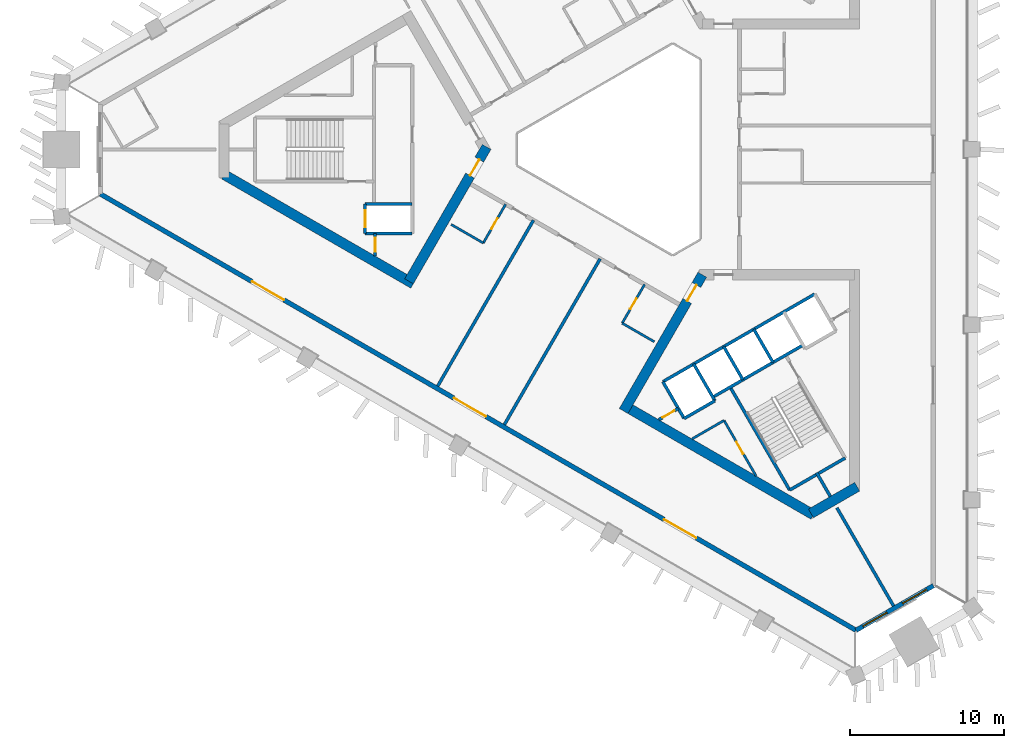
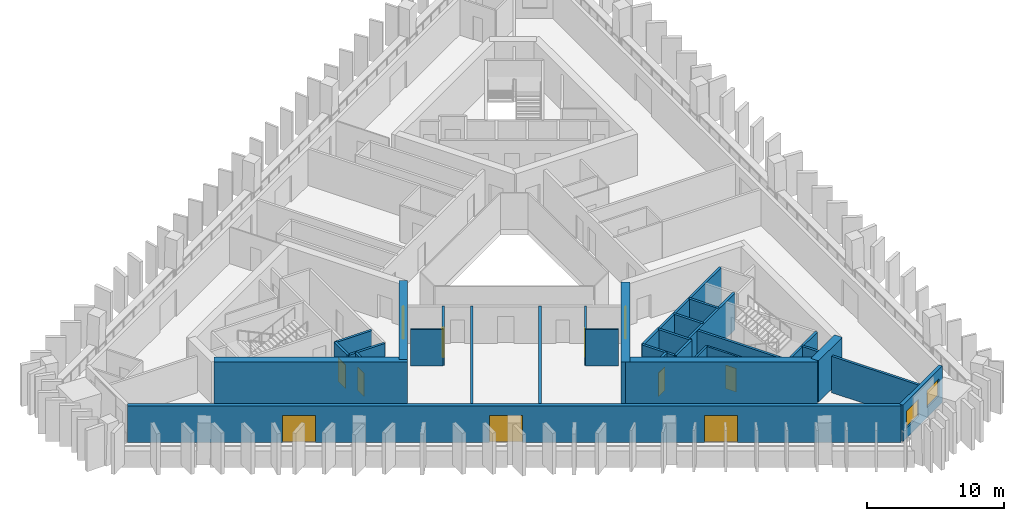
# One storey, part 2 of 10: 31 walls, 11 doors, 2 windows, 13 openings.
"""IFC4 building model written with IfcOpenShell, lengths in metres."""

from ifc_helpers import new_model, si_unit, direction, frame, frame_2d, origin, place, context, subcontext, project, spatial, rectangle, extrude, material, layer, layer_set, type_object, element, fill, save


model = new_model("IFC4")

# Units and contexts
model_context = context("Model", 3, precision=1e-05, world=origin(), true_north=direction((0.0, 1.0)))
body_context = subcontext(model_context, "Body", "Model", "MODEL_VIEW")
ifc_project = project(units=[si_unit("LENGTHUNIT", "METRE"), si_unit("AREAUNIT", "SQUARE_METRE"), si_unit("VOLUMEUNIT", "CUBIC_METRE"), si_unit("PLANEANGLEUNIT", "RADIAN"), si_unit("MASSUNIT", "GRAM", prefix="KILO")], contexts=[model_context])

# Site, building, storey
site_placement = place(None, origin())
site = spatial("IfcSite", under=ifc_project, at=site_placement, CompositionType="ELEMENT")
building_placement = place(site_placement, origin())
building = spatial("IfcBuilding", under=site, at=building_placement, Name="Jabali Bay Hotel Tower and Convention Centre", CompositionType="ELEMENT")
storey_placement = place(building_placement, frame((0.0, 0.0, 121.60009765625)))
storey = spatial("IfcBuildingStorey", under=building, at=storey_placement, Name="L29", CompositionType="ELEMENT", Elevation=121.60009765625)

# Wall, opening, door
ifc_material_1 = material(Name="Concrete C40", Category="concrete")
ifc_layer_1 = layer(ifc_material_1, 0.199951171875)
ifc_layer_set_1 = layer_set([ifc_layer_1], Name="Concrete C40")
wall_type_1 = type_object("IfcWallType", Name="Core partition wall 200", PredefinedType="PARTITIONING", material=ifc_layer_set_1)
wall_1_placement = place(storey_placement, frame((58.5, 74.550048828125, 0.0), z_axis=(0.0, 0.0, 1.0), x_axis=(0.0, -1.0, 0.0)))
wall_1 = element("IfcWall", 1, at=wall_1_placement, inside=storey, type_object=wall_type_1, Name="Core wall 0.9 L29", PredefinedType="PARTITIONING", context=body_context, shape_type="SweptSolid", body=[
    extrude(rectangle(XDim=1.455078125, YDim=0.199951171875, at=frame_2d((0.7275390625, 0.0))), origin(), (0.0, 0.0, 1.0), 3.25),
])
opening_1_placement = place(wall_1_placement, frame((0.277587890625, 0.0, 0.0)))
opening_1 = element("IfcOpeningElement", 2, at=opening_1_placement, cuts=wall_1, Name="Opening D643", PredefinedType="OPENING", context=body_context, shape_type="SweptSolid", body=[
    extrude(rectangle(XDim=0.89990234375, YDim=2.10009765625, at=frame_2d((0.449951171875, 1.050048828125))), frame((0.0, 0.1103515625, 0.0), z_axis=(0.0, -1.0, 0.0), x_axis=(1.0, 0.0, 0.0)), (0.0, 0.0, 1.0), 0.220947265625),
])
ifc_material_2 = material(Name="Fire-rated steel door", Category="steel")
door_type_1 = type_object("IfcDoorType", Name="Vestibule fire door 900 x 2100", OperationType="NOTDEFINED", PredefinedType="NOTDEFINED", material=ifc_material_2)
door_1_placement = place(opening_1_placement, origin())
door_1 = element("IfcDoor", 3, at=door_1_placement, inside=storey, type_object=door_type_1, Name="Vestibule fire door D643", OperationType="SINGLE_SWING_LEFT", OverallHeight=2.10009765625, OverallWidth=0.89990234375, PredefinedType="NOTDEFINED", context=body_context, shape_type="SweptSolid", body=[
    extrude(rectangle(XDim=0.89990234375, YDim=2.10009765625, at=frame_2d((0.449951171875, 1.050048828125))), frame((0.0, 0.02490234375, 0.0), z_axis=(0.0, -1.0, 0.0), x_axis=(1.0, 0.0, 0.0)), (0.0, 0.0, 1.0), 0.050048828125),
])
fill(opening_1, door_1)

# Wall
wall_2_placement = place(storey_placement, frame((87.090087890625, 59.0595703125, 0.0), z_axis=(0.0, 0.0, 1.0), x_axis=(0.499944938281, -0.866057191349, 0.0)))
element("IfcWall", 4, at=wall_2_placement, inside=storey, type_object=wall_type_1, Name="Core wall 2.5 L29", PredefinedType="PARTITIONING", context=body_context, shape_type="SweptSolid", body=[
    extrude(rectangle(XDim=1.773193359375, YDim=0.199951171875, at=frame_2d((0.88671875, 0.0))), origin(), (0.0, 0.0, 1.0), 3.25),
])

# Wall, opening, door
wall_3_placement = place(storey_placement, frame((76.869873046875, 62.489013671875, 0.0), z_axis=(0.0, 0.0, 1.0), x_axis=(0.866054810376, 0.49994906283, 0.0)))
wall_3 = element("IfcWall", 5, at=wall_3_placement, inside=storey, type_object=wall_type_1, Name="Core wall 2.11 L29", PredefinedType="PARTITIONING", context=body_context, shape_type="SweptSolid", body=[
    extrude(rectangle(XDim=1.461181640625, YDim=0.199951171875, at=frame_2d((0.73046875, 0.0))), origin(), (0.0, 0.0, 1.0), 3.25),
])
opening_2_placement = place(wall_3_placement, frame((0.280517578125, 0.0, 0.0)))
opening_2 = element("IfcOpeningElement", 6, at=opening_2_placement, cuts=wall_3, Name="Opening D656", PredefinedType="OPENING", context=body_context, shape_type="SweptSolid", body=[
    extrude(rectangle(XDim=0.89990234375, YDim=2.10009765625, at=frame_2d((0.449951171875, 1.050048828125))), frame((0.0, 0.1103515625, 0.0), z_axis=(0.0, -1.0, 0.0), x_axis=(1.0, 0.0, 0.0)), (0.0, 0.0, 1.0), 0.220947265625),
])
door_2_placement = place(opening_2_placement, origin())
door_2 = element("IfcDoor", 7, at=door_2_placement, inside=storey, type_object=door_type_1, Name="Vestibule fire door D656", OperationType="SINGLE_SWING_LEFT", OverallHeight=2.10009765625, OverallWidth=0.89990234375, PredefinedType="NOTDEFINED", context=body_context, shape_type="SweptSolid", body=[
    extrude(rectangle(XDim=0.89990234375, YDim=2.10009765625, at=frame_2d((0.449951171875, 1.050048828125))), frame((0.0, 0.02490234375, 0.0), z_axis=(0.0, -1.0, 0.0), x_axis=(1.0, 0.0, 0.0)), (0.0, 0.0, 1.0), 0.050048828125),
])
fill(opening_2, door_2)

ifc_material_3 = material(Name="Fire-rated board partition")
ifc_layer_2 = layer(ifc_material_3, 0.14990234375)
ifc_layer_set_2 = layer_set([ifc_layer_2], Name="Fire-rated board partition")
wall_type_2 = type_object("IfcWallType", Name="Core room partition 150", PredefinedType="PARTITIONING", material=ifc_layer_set_2)
wall_4_placement = place(storey_placement, frame((81.093994140625, 62.445068359375, 0.0), z_axis=(0.0, 0.0, 1.0), x_axis=(0.499975520016, -0.866039536849, 0.0)))
wall_4 = element("IfcWall", 8, at=wall_4_placement, inside=storey, type_object=wall_type_2, Name="Core wall 2.1 L29", PredefinedType="PARTITIONING", context=body_context, shape_type="SweptSolid", body=[
    extrude(rectangle(XDim=4.147705078125, YDim=0.14990234375, at=frame_2d((2.07373046875, 0.0))), origin(), (0.0, 0.0, 1.0), 3.25),
])
opening_3_placement = place(wall_4_placement, frame((1.596435546875, 0.0, 0.0)))
opening_3 = element("IfcOpeningElement", 9, at=opening_3_placement, cuts=wall_4, Name="Opening D658", PredefinedType="OPENING", context=body_context, shape_type="SweptSolid", body=[
    extrude(rectangle(XDim=0.89990234375, YDim=2.10009765625, at=frame_2d((0.449951171875, 1.050048828125))), frame((0.0, 0.08544921875, 0.0), z_axis=(0.0, -1.0, 0.0), x_axis=(1.0, 0.0, 0.0)), (0.0, 0.0, 1.0), 0.1708984375),
])
door_type_2 = type_object("IfcDoorType", Name="Core room door 900 x 2100", OperationType="NOTDEFINED", PredefinedType="NOTDEFINED", material=ifc_material_2)
door_3_placement = place(opening_3_placement, origin())
door_3 = element("IfcDoor", 10, at=door_3_placement, inside=storey, type_object=door_type_2, Name="Core room door D658", OperationType="SINGLE_SWING_LEFT", OverallHeight=2.10009765625, OverallWidth=0.89990234375, PredefinedType="NOTDEFINED", context=body_context, shape_type="SweptSolid", body=[
    extrude(rectangle(XDim=0.89990234375, YDim=2.10009765625, at=frame_2d((0.449951171875, 1.050048828125))), frame((0.0, 0.02490234375, 0.0), z_axis=(0.0, -1.0, 0.0), x_axis=(1.0, 0.0, 0.0)), (0.0, 0.0, 1.0), 0.050048828125),
])
fill(opening_3, door_3)

# Walls
wall_5_placement = place(storey_placement, frame((79.02001953125, 61.247802734375, 0.0), z_axis=(0.0, 0.0, 1.0), x_axis=(0.866051471819, 0.499954846121, 0.0)))
element("IfcWall", 11, at=wall_5_placement, inside=storey, type_object=wall_type_2, Name="Core wall 2.16 L29", PredefinedType="PARTITIONING", context=body_context, shape_type="SweptSolid", body=[
    extrude(rectangle(XDim=2.394775390625, YDim=0.14990234375, at=frame_2d((1.197265625, 0.0))), origin(), (0.0, 0.0, 1.0), 3.25),
])
ifc_layer_3 = layer(ifc_material_1, 0.199951171875)
ifc_layer_set_3 = layer_set([ifc_layer_3], Name="Concrete C40")
wall_type_3 = type_object("IfcWallType", Name="Core stair wall 200", PredefinedType="SOLIDWALL", material=ifc_layer_set_3)
for number, where, z_axis, x_axis, name in (
    (12, (60.89990234375, 76.449951171875, 0.0), (0.0, 0.0, 1.0), (-1.0, 0.0, 0.0), "Core wall 0.5 L29"),
    (13, (60.89990234375, 74.550048828125, 0.0), (0.0, 0.0, 1.0), (-1.0, 0.0, 0.0), "Core wall 0.6 L29"),
):
    element("IfcWall", number, at=place(storey_placement, frame(where, z_axis=z_axis, x_axis=x_axis)), inside=storey, type_object=wall_type_3, Name=name, PredefinedType="SOLIDWALL", context=body_context, shape_type="SweptSolid", body=[
        extrude(rectangle(XDim=3.0498046875, YDim=0.199951171875, at=frame_2d((1.52490234375, 0.0))), origin(), (0.0, 0.0, 1.0), 3.25),
    ])

# Wall, opening, door
wall_6_placement = place(storey_placement, frame((57.85009765625, 76.449951171875, 0.0), z_axis=(0.0, 0.0, 1.0), x_axis=(0.0, -1.0, 0.0)))
wall_6 = element("IfcWall", 14, at=wall_6_placement, inside=storey, type_object=wall_type_3, Name="Core wall 0.11 L29", PredefinedType="SOLIDWALL", context=body_context, shape_type="SweptSolid", body=[
    extrude(rectangle(XDim=1.89990234375, YDim=0.199951171875, at=frame_2d((0.949951171875, 0.0))), origin(), (0.0, 0.0, 1.0), 3.25),
])
opening_4_placement = place(wall_6_placement, frame((0.39990234375, 0.0, 0.0)))
opening_4 = element("IfcOpeningElement", 15, at=opening_4_placement, cuts=wall_6, Name="Opening LD5-L29", PredefinedType="OPENING", context=body_context, shape_type="SweptSolid", body=[
    extrude(rectangle(XDim=1.10009765625, YDim=2.10009765625, at=frame_2d((0.550048828125, 1.050048828125))), frame((0.0, 0.1103515625, 0.0), z_axis=(0.0, -1.0, 0.0), x_axis=(1.0, 0.0, 0.0)), (0.0, 0.0, 1.0), 0.220947265625),
])
ifc_material_4 = material(Name="Stainless steel landing door", Category="steel")
door_type_3 = type_object("IfcDoorType", Name="Landing door 1100 x 2100", OperationType="NOTDEFINED", PredefinedType="NOTDEFINED", material=ifc_material_4)
door_4_placement = place(opening_4_placement, origin())
door_4 = element("IfcDoor", 16, at=door_4_placement, inside=storey, type_object=door_type_3, Name="Landing doors LD5-L29", OperationType="SLIDING_TO_RIGHT", OverallHeight=2.10009765625, OverallWidth=1.10009765625, PredefinedType="NOTDEFINED", context=body_context, shape_type="SweptSolid", body=[
    extrude(rectangle(XDim=1.10009765625, YDim=2.10009765625, at=frame_2d((0.550048828125, 1.050048828125))), frame((0.0, 0.02490234375, 0.0), z_axis=(0.0, -1.0, 0.0), x_axis=(1.0, 0.0, 0.0)), (0.0, 0.0, 1.0), 0.050048828125),
])
fill(opening_4, door_4)

# Walls
for number, where, z_axis, x_axis, name in (
    (17, (77.13525390625, 64.95166015625, 0.0), (0.0, 0.0, 1.0), (0.499996545922, -0.866027397988, 0.0), "Core wall 2.0 L29"),
    (18, (79.127197265625, 66.1015625, 0.0), (0.0, 0.0, 1.0), (0.499996545922, -0.866027397988, 0.0), "Core wall 2.2 L29"),
):
    element("IfcWall", number, at=place(storey_placement, frame(where, z_axis=z_axis, x_axis=x_axis)), inside=storey, type_object=wall_type_3, Name=name, PredefinedType="SOLIDWALL", context=body_context, shape_type="SweptSolid", body=[
        extrude(rectangle(XDim=2.75, YDim=0.199951171875, at=frame_2d((1.375, 0.0))), origin(), (0.0, 0.0, 1.0), 3.25),
    ])
wall_7_placement = place(storey_placement, frame((81.492919921875, 64.603759765625, 0.0), z_axis=(0.0, 0.0, 1.0), x_axis=(0.500006057782, -0.866021906294, 0.0)))
element("IfcWall", 19, at=wall_7_placement, inside=storey, type_object=wall_type_3, Name="Core wall 2.3 L29", PredefinedType="SOLIDWALL", context=body_context, shape_type="SweptSolid", body=[
    extrude(rectangle(XDim=7.7001953125, YDim=0.199951171875, at=frame_2d((3.85009765625, 0.0))), origin(), (0.0, 0.0, 1.0), 3.25),
])
for number, where, z_axis, x_axis, name in (
    (20, (81.07568359375, 67.2265625, 0.0), (0.0, 0.0, 1.0), (0.50000366821, -0.866023285932, 0.0), "Core wall 2.4 L29"),
    (21, (83.024169921875, 68.3515625, 0.0), (0.0, 0.0, 1.0), (0.50000366821, -0.866023285932, 0.0), "Core wall 2.6 L29"),
):
    element("IfcWall", number, at=place(storey_placement, frame(where, z_axis=z_axis, x_axis=x_axis)), inside=storey, type_object=wall_type_3, Name=name, PredefinedType="SOLIDWALL", context=body_context, shape_type="SweptSolid", body=[
        extrude(rectangle(XDim=2.47998046875, YDim=0.199951171875, at=frame_2d((1.239990234375, 0.0))), origin(), (0.0, 0.0, 1.0), 3.25),
    ])
wall_8_placement = place(storey_placement, frame((77.13525390625, 64.95166015625, 0.0), z_axis=(0.0, 0.0, 1.0), x_axis=(0.866031916153, 0.499988720078, 0.0)))
element("IfcWall", 22, at=wall_8_placement, inside=storey, type_object=wall_type_3, Name="Core wall 2.10 L29", PredefinedType="SOLIDWALL", context=body_context, shape_type="SweptSolid", body=[
    extrude(rectangle(XDim=11.349853515625, YDim=0.199951171875, at=frame_2d((5.6748046875, 0.0))), origin(), (0.0, 0.0, 1.0), 3.25),
])
wall_9_placement = place(storey_placement, frame((80.3671875, 63.953857421875, 0.0), z_axis=(0.0, 0.0, 1.0), x_axis=(0.866026575979, 0.499997969693, 0.0)))
element("IfcWall", 23, at=wall_9_placement, inside=storey, type_object=wall_type_3, Name="Core wall 2.13 L29", PredefinedType="SOLIDWALL", context=body_context, shape_type="SweptSolid", body=[
    extrude(rectangle(XDim=6.75, YDim=0.199951171875, at=frame_2d((3.375, 0.0))), origin(), (0.0, 0.0, 1.0), 3.25),
])
wall_10_placement = place(storey_placement, frame((78.51025390625, 62.570068359375, 0.0), z_axis=(0.0, 0.0, 1.0), x_axis=(0.866053019151, 0.499952165731, 0.0)))
element("IfcWall", 24, at=wall_10_placement, inside=storey, type_object=wall_type_3, Name="Core wall 2.14 L29", PredefinedType="SOLIDWALL", context=body_context, shape_type="SweptSolid", body=[
    extrude(rectangle(XDim=2.300048828125, YDim=0.199951171875, at=frame_2d((1.14990234375, 0.0))), origin(), (0.0, 0.0, 1.0), 3.25),
])
wall_11_placement = place(storey_placement, frame((85.343017578125, 57.935302734375, 0.0), z_axis=(0.0, 0.0, 1.0), x_axis=(0.866004344652, 0.500036473714, 0.0)))
element("IfcWall", 25, at=wall_11_placement, inside=storey, type_object=wall_type_3, Name="Core wall 2.17 L29", PredefinedType="SOLIDWALL", context=body_context, shape_type="SweptSolid", body=[
    extrude(rectangle(XDim=4.150146484375, YDim=0.199951171875, at=frame_2d((2.0751953125, 0.0))), origin(), (0.0, 0.0, 1.0), 3.25),
])
ifc_material_5 = material(Name="Concrete C60", Category="concrete")
ifc_layer_4 = layer(ifc_material_5, 0.64990234375)
ifc_layer_set_4 = layer_set([ifc_layer_4], Name="Concrete C60")
wall_type_4 = type_object("IfcWallType", Name="Core wall 650", PredefinedType="SHEAR", material=ifc_layer_set_4)
wall_12_placement = place(storey_placement, frame((48.721923828125, 78.364990234375, 0.0), z_axis=(0.0, 0.0, 1.0), x_axis=(0.866020036431, -0.500009296414, 0.0)))
element("IfcWall", 26, at=wall_12_placement, inside=storey, type_object=wall_type_4, Name="Core wall 1.4 L29", PredefinedType="SHEAR", context=body_context, shape_type="SweptSolid", body=[
    extrude(rectangle(XDim=14.145751953125, YDim=0.64990234375, at=frame_2d((7.07275390625, 0.0))), origin(), (0.0, 0.0, 1.0), 3.699951171875),
])

# Wall, opening, door
wall_13_placement = place(storey_placement, frame((60.691162109375, 71.45458984375, 0.0), z_axis=(0.0, 0.0, 1.0), x_axis=(0.499983075189, 0.866035175108, 0.0)))
wall_13 = element("IfcWall", 27, at=wall_13_placement, inside=storey, type_object=wall_type_4, Name="Core wall 1.5 L29", PredefinedType="SHEAR", context=body_context, shape_type="SweptSolid", body=[
    extrude(rectangle(XDim=10.054931640625, YDim=0.64990234375, at=frame_2d((5.02734375, 0.0))), origin(), (0.0, 0.0, 1.0), 3.699951171875),
])
opening_5_placement = place(wall_13_placement, frame((7.905029296875, 0.0, 0.0)))
opening_5 = element("IfcOpeningElement", 28, at=opening_5_placement, cuts=wall_13, Name="Opening D641", PredefinedType="OPENING", context=body_context, shape_type="SweptSolid", body=[
    extrude(rectangle(XDim=1.199951171875, YDim=2.10009765625, at=frame_2d((0.60009765625, 1.050048828125))), frame((0.0, 0.33544921875, 0.0), z_axis=(0.0, -1.0, 0.0), x_axis=(1.0, 0.0, 0.0)), (0.0, 0.0, 1.0), 0.6708984375),
])
door_type_4 = type_object("IfcDoorType", Name="Corridor end fire door 1200 x 2100", OperationType="NOTDEFINED", PredefinedType="NOTDEFINED", material=ifc_material_2)
door_5_placement = place(opening_5_placement, origin())
door_5 = element("IfcDoor", 29, at=door_5_placement, inside=storey, type_object=door_type_4, Name="Corridor end fire door D641", OperationType="SINGLE_SWING_LEFT", OverallHeight=2.10009765625, OverallWidth=1.199951171875, PredefinedType="NOTDEFINED", context=body_context, shape_type="SweptSolid", body=[
    extrude(rectangle(XDim=1.199951171875, YDim=2.10009765625, at=frame_2d((0.60009765625, 1.050048828125))), frame((0.0, 0.02490234375, 0.0), z_axis=(0.0, -1.0, 0.0), x_axis=(1.0, 0.0, 0.0)), (0.0, 0.0, 1.0), 0.050048828125),
])
fill(opening_5, door_5)

wall_14_placement = place(storey_placement, frame((79.687744140625, 71.880859375, 0.0), z_axis=(0.0, 0.0, 1.0), x_axis=(-0.49999822179, -0.866026430432, 0.0)))
wall_14 = element("IfcWall", 30, at=wall_14_placement, inside=storey, type_object=wall_type_4, Name="Core wall 3.1 L29", PredefinedType="SHEAR", context=body_context, shape_type="SweptSolid", body=[
    extrude(rectangle(XDim=10.1923828125, YDim=0.64990234375, at=frame_2d((5.09619140625, 0.0))), origin(), (0.0, 0.0, 1.0), 3.699951171875),
])
opening_6_placement = place(wall_14_placement, frame((0.762451171875, 0.0, 0.0)))
opening_6 = element("IfcOpeningElement", 31, at=opening_6_placement, cuts=wall_14, Name="Opening D653", PredefinedType="OPENING", context=body_context, shape_type="SweptSolid", body=[
    extrude(rectangle(XDim=1.199951171875, YDim=2.10009765625, at=frame_2d((0.60009765625, 1.050048828125))), frame((0.0, 0.33544921875, 0.0), z_axis=(0.0, -1.0, 0.0), x_axis=(1.0, 0.0, 0.0)), (0.0, 0.0, 1.0), 0.6708984375),
])
door_6_placement = place(opening_6_placement, origin())
door_6 = element("IfcDoor", 32, at=door_6_placement, inside=storey, type_object=door_type_4, Name="Corridor end fire door D653", OperationType="SINGLE_SWING_RIGHT", OverallHeight=2.10009765625, OverallWidth=1.199951171875, PredefinedType="NOTDEFINED", context=body_context, shape_type="SweptSolid", body=[
    extrude(rectangle(XDim=1.199951171875, YDim=2.10009765625, at=frame_2d((0.60009765625, 1.050048828125))), frame((0.0, 0.02490234375, 0.0), z_axis=(0.0, -1.0, 0.0), x_axis=(1.0, 0.0, 0.0)), (0.0, 0.0, 1.0), 0.050048828125),
])
fill(opening_6, door_6)

# Walls
wall_15_placement = place(storey_placement, frame((74.75390625, 63.33544921875, 0.0), z_axis=(0.0, 0.0, 1.0), x_axis=(0.866026250715, -0.49999853307, 0.0)))
element("IfcWall", 33, at=wall_15_placement, inside=storey, type_object=wall_type_4, Name="Core wall 3.2 L29", PredefinedType="SHEAR", context=body_context, shape_type="SweptSolid", body=[
    extrude(rectangle(XDim=14.00830078125, YDim=0.64990234375, at=frame_2d((7.004150390625, 0.0))), origin(), (0.0, 0.0, 1.0), 3.699951171875),
])
wall_16_placement = place(storey_placement, frame((86.72314453125, 56.425048828125, 0.0), z_axis=(0.0, 0.0, 1.0), x_axis=(0.866031550877, 0.499989352773, 0.0)))
element("IfcWall", 34, at=wall_16_placement, inside=storey, type_object=wall_type_4, Name="Core wall 3.3 L29", PredefinedType="SHEAR", context=body_context, shape_type="SweptSolid", body=[
    extrude(rectangle(XDim=3.45751953125, YDim=0.64990234375, at=frame_2d((1.728759765625, 0.0))), origin(), (0.0, 0.0, 1.0), 3.699951171875),
])

# Wall, openings, windows
ifc_layer_5 = layer(ifc_material_1, 0.300048828125)
ifc_layer_set_5 = layer_set([ifc_layer_5], Name="Concrete C40")
wall_type_5 = type_object("IfcWallType", Name="External wall 300", PredefinedType="SOLIDWALL", material=ifc_layer_set_5)
wall_17_placement = place(storey_placement, frame((94.650634765625, 51.745849609375, 0.0), z_axis=(0.0, 0.0, 1.0), x_axis=(-0.866033704959, -0.499985621668, 0.0)))
wall_17 = element("IfcWall", 35, at=wall_17_placement, inside=storey, type_object=wall_type_5, Name="External wall south-east chamfer L29", PredefinedType="SOLIDWALL", context=body_context, shape_type="SweptSolid", body=[
    extrude(rectangle(XDim=5.781982421875, YDim=0.300048828125, at=frame_2d((2.89111328125, 0.0))), origin(), (0.0, 0.0, 1.0), 3.25),
])
opening_7_placement = place(wall_17_placement, frame((0.502685546875, 0.0, 0.89990234375)))
opening_7 = element("IfcOpeningElement", 36, at=opening_7_placement, cuts=wall_17, Name="Opening W1", PredefinedType="OPENING", context=body_context, shape_type="SweptSolid", body=[
    extrude(rectangle(XDim=1.800048828125, YDim=1.5, at=frame_2d((0.89990234375, 0.75))), frame((0.0, 0.16064453125, 0.0), z_axis=(0.0, -1.0, 0.0), x_axis=(1.0, 0.0, 0.0)), (0.0, 0.0, 1.0), 0.321044921875),
])
opening_8_placement = place(wall_17_placement, frame((3.479248046875, 0.0, 0.89990234375)))
opening_8 = element("IfcOpeningElement", 37, at=opening_8_placement, cuts=wall_17, Name="Opening W1", PredefinedType="OPENING", context=body_context, shape_type="SweptSolid", body=[
    extrude(rectangle(XDim=1.800048828125, YDim=1.5, at=frame_2d((0.89990234375, 0.75))), frame((0.0, 0.16064453125, 0.0), z_axis=(0.0, -1.0, 0.0), x_axis=(1.0, 0.0, 0.0)), (0.0, 0.0, 1.0), 0.321044921875),
])
ifc_material_6 = material(Name="Glass", Category="glass")
window_type = type_object("IfcWindowType", Name="Window 1800 x 1500", PartitioningType="SINGLE_PANEL", PredefinedType="WINDOW", material=ifc_material_6)
window_1_placement = place(opening_7_placement, origin())
window_1 = element("IfcWindow", 38, at=window_1_placement, inside=storey, type_object=window_type, Name="Window 2901", OverallHeight=1.5, OverallWidth=1.800048828125, PartitioningType="SINGLE_PANEL", PredefinedType="WINDOW", context=body_context, shape_type="SweptSolid", body=[
    extrude(rectangle(XDim=1.800048828125, YDim=1.5, at=frame_2d((0.89990234375, 0.75))), frame((0.0, 0.030029296875, 0.0), z_axis=(0.0, -1.0, 0.0), x_axis=(1.0, 0.0, 0.0)), (0.0, 0.0, 1.0), 0.06005859375),
])
fill(opening_7, window_1)
window_2_placement = place(opening_8_placement, origin())
window_2 = element("IfcWindow", 39, at=window_2_placement, inside=storey, type_object=window_type, Name="Window 2910", OverallHeight=1.5, OverallWidth=1.800048828125, PartitioningType="SINGLE_PANEL", PredefinedType="WINDOW", context=body_context, shape_type="SweptSolid", body=[
    extrude(rectangle(XDim=1.800048828125, YDim=1.5, at=frame_2d((0.89990234375, 0.75))), frame((0.0, 0.030029296875, 0.0), z_axis=(0.0, -1.0, 0.0), x_axis=(1.0, 0.0, 0.0)), (0.0, 0.0, 1.0), 0.06005859375),
])
fill(opening_8, window_2)

# Wall, openings, doors
wall_18_placement = place(storey_placement, frame((89.643310546875, 48.85498046875, 0.0), z_axis=(0.0, 0.0, 1.0), x_axis=(-0.866024855185, 0.5000009502, 0.0)))
wall_18 = element("IfcWall", 40, at=wall_18_placement, inside=storey, type_object=wall_type_5, Name="External wall south-west face L29", PredefinedType="SOLIDWALL", context=body_context, shape_type="SweptSolid", body=[
    extrude(rectangle(XDim=56.50830078125, YDim=0.300048828125, at=frame_2d((28.254150390625, 0.0))), origin(), (0.0, 0.0, 1.0), 3.25),
])
opening_9_placement = place(wall_18_placement, frame((42.783203125, 0.0, 0.0)))
opening_9 = element("IfcOpeningElement", 41, at=opening_9_placement, cuts=wall_18, Name="Opening SD1", PredefinedType="OPENING", context=body_context, shape_type="SweptSolid", body=[
    extrude(rectangle(XDim=2.39990234375, YDim=2.39990234375, at=frame_2d((1.199951171875, 1.199951171875))), frame((0.0, 0.16064453125, 0.0), z_axis=(0.0, -1.0, 0.0), x_axis=(1.0, 0.0, 0.0)), (0.0, 0.0, 1.0), 0.321044921875),
])
opening_10_placement = place(wall_18_placement, frame((11.948486328125, 0.0, 0.0)))
opening_10 = element("IfcOpeningElement", 42, at=opening_10_placement, cuts=wall_18, Name="Opening SD1", PredefinedType="OPENING", context=body_context, shape_type="SweptSolid", body=[
    extrude(rectangle(XDim=2.39990234375, YDim=2.39990234375, at=frame_2d((1.199951171875, 1.199951171875))), frame((0.0, 0.16064453125, 0.0), z_axis=(0.0, -1.0, 0.0), x_axis=(1.0, 0.0, 0.0)), (0.0, 0.0, 1.0), 0.321044921875),
])
opening_11_placement = place(wall_18_placement, frame((27.677490234375, 0.0, 0.0)))
opening_11 = element("IfcOpeningElement", 43, at=opening_11_placement, cuts=wall_18, Name="Opening SD1", PredefinedType="OPENING", context=body_context, shape_type="SweptSolid", body=[
    extrude(rectangle(XDim=2.39990234375, YDim=2.39990234375, at=frame_2d((1.199951171875, 1.199951171875))), frame((0.0, 0.16064453125, 0.0), z_axis=(0.0, -1.0, 0.0), x_axis=(1.0, 0.0, 0.0)), (0.0, 0.0, 1.0), 0.321044921875),
])
door_type_5 = type_object("IfcDoorType", Name="Loggia sliding door 2400 x 2400", OperationType="NOTDEFINED", PredefinedType="NOTDEFINED", material=ifc_material_6)
door_7_placement = place(opening_9_placement, origin())
door_7 = element("IfcDoor", 44, at=door_7_placement, inside=storey, type_object=door_type_5, Name="Loggia sliding door 2909", OperationType="SLIDING_TO_LEFT", OverallHeight=2.39990234375, OverallWidth=2.39990234375, PredefinedType="NOTDEFINED", context=body_context, shape_type="SweptSolid", body=[
    extrude(rectangle(XDim=2.39990234375, YDim=2.39990234375, at=frame_2d((1.199951171875, 1.199951171875))), frame((0.0, 0.02490234375, 0.0), z_axis=(0.0, -1.0, 0.0), x_axis=(1.0, 0.0, 0.0)), (0.0, 0.0, 1.0), 0.050048828125),
])
fill(opening_9, door_7)
door_8_placement = place(opening_10_placement, origin())
door_8 = element("IfcDoor", 45, at=door_8_placement, inside=storey, type_object=door_type_5, Name="Loggia sliding door 2910", OperationType="SLIDING_TO_RIGHT", OverallHeight=2.39990234375, OverallWidth=2.39990234375, PredefinedType="NOTDEFINED", context=body_context, shape_type="SweptSolid", body=[
    extrude(rectangle(XDim=2.39990234375, YDim=2.39990234375, at=frame_2d((1.199951171875, 1.199951171875))), frame((0.0, 0.02490234375, 0.0), z_axis=(0.0, -1.0, 0.0), x_axis=(1.0, 0.0, 0.0)), (0.0, 0.0, 1.0), 0.050048828125),
])
fill(opening_10, door_8)
door_9_placement = place(opening_11_placement, origin())
door_9 = element("IfcDoor", 46, at=door_9_placement, inside=storey, type_object=door_type_5, Name="Loggia sliding door", OperationType="SLIDING_TO_LEFT", OverallHeight=2.39990234375, OverallWidth=2.39990234375, PredefinedType="NOTDEFINED", context=body_context, shape_type="SweptSolid", body=[
    extrude(rectangle(XDim=2.39990234375, YDim=2.39990234375, at=frame_2d((1.199951171875, 1.199951171875))), frame((0.0, 0.02490234375, 0.0), z_axis=(0.0, -1.0, 0.0), x_axis=(1.0, 0.0, 0.0)), (0.0, 0.0, 1.0), 0.050048828125),
])
fill(opening_11, door_9)

# Wall, opening, door
ifc_material_7 = material(Name="Plasterboard on steel stud", Category="steel")
ifc_layer_6 = layer(ifc_material_7, 0.14990234375)
ifc_layer_set_6 = layer_set([ifc_layer_6], Name="Plasterboard on steel stud")
wall_type_6 = type_object("IfcWallType", Name="Partition 150 wet", PredefinedType="PARTITIONING", material=ifc_layer_set_6)
wall_19_placement = place(storey_placement, frame((66.95166015625, 76.4482421875, 0.0), z_axis=(0.0, 0.0, 1.0), x_axis=(-0.499987231761, -0.866032775405, 0.0)))
wall_19 = element("IfcWall", 47, at=wall_19_placement, inside=storey, type_object=wall_type_6, Name="Partition P03 L29 032", PredefinedType="PARTITIONING", context=body_context, shape_type="SweptSolid", body=[
    extrude(rectangle(XDim=2.89990234375, YDim=0.14990234375, at=frame_2d((1.449951171875, 0.0))), origin(), (0.0, 0.0, 1.0), 3.25),
])
opening_12_placement = place(wall_19_placement, frame((1.050048828125, 0.0, 0.0)))
opening_12 = element("IfcOpeningElement", 48, at=opening_12_placement, cuts=wall_19, Name="Opening 2917", PredefinedType="OPENING", context=body_context, shape_type="SweptSolid", body=[
    extrude(rectangle(XDim=0.800048828125, YDim=2.10009765625, at=frame_2d((0.39990234375, 1.050048828125))), frame((0.0, 0.08544921875, 0.0), z_axis=(0.0, -1.0, 0.0), x_axis=(1.0, 0.0, 0.0)), (0.0, 0.0, 1.0), 0.1708984375),
])
ifc_material_8 = material(Name="Timber", Category="wood")
door_type_6 = type_object("IfcDoorType", Name="En-suite door 800 x 2100", OperationType="NOTDEFINED", PredefinedType="NOTDEFINED", material=ifc_material_8)
door_10_placement = place(opening_12_placement, origin())
door_10 = element("IfcDoor", 49, at=door_10_placement, inside=storey, type_object=door_type_6, Name="Door 2917", OperationType="SINGLE_SWING_RIGHT", OverallHeight=2.10009765625, OverallWidth=0.800048828125, PredefinedType="NOTDEFINED", context=body_context, shape_type="SweptSolid", body=[
    extrude(rectangle(XDim=0.800048828125, YDim=2.10009765625, at=frame_2d((0.39990234375, 1.050048828125))), frame((0.0, 0.02490234375, 0.0), z_axis=(0.0, -1.0, 0.0), x_axis=(1.0, 0.0, 0.0)), (0.0, 0.0, 1.0), 0.050048828125),
])
fill(opening_12, door_10)

# Walls
wall_20_placement = place(storey_placement, frame((65.501708984375, 73.936767578125, 0.0), z_axis=(0.0, 0.0, 1.0), x_axis=(-0.865994240961, 0.500053971709, 0.0)))
element("IfcWall", 50, at=wall_20_placement, inside=storey, type_object=wall_type_6, Name="Partition P03 L29 033", PredefinedType="PARTITIONING", context=body_context, shape_type="SweptSolid", body=[
    extrude(rectangle(XDim=2.401123046875, YDim=0.14990234375, at=frame_2d((1.20068359375, 0.0))), origin(), (0.0, 0.0, 1.0), 3.25),
])
wall_21_placement = place(storey_placement, frame((76.57763671875, 67.542236328125, 0.0), z_axis=(0.0, 0.0, 1.0), x_axis=(-0.866038271014, 0.499977712642, 0.0)))
element("IfcWall", 51, at=wall_21_placement, inside=storey, type_object=wall_type_6, Name="Partition P03 L29 036", PredefinedType="PARTITIONING", context=body_context, shape_type="SweptSolid", body=[
    extrude(rectangle(XDim=2.40087890625, YDim=0.14990234375, at=frame_2d((1.200439453125, 0.0))), origin(), (0.0, 0.0, 1.0), 3.25),
])

# Wall, opening, door
wall_22_placement = place(storey_placement, frame((74.498291015625, 68.74267578125, 0.0), z_axis=(0.0, 0.0, 1.0), x_axis=(0.499987231761, 0.866032775405, 0.0)))
wall_22 = element("IfcWall", 52, at=wall_22_placement, inside=storey, type_object=wall_type_6, Name="Partition P03 L29 037", PredefinedType="PARTITIONING", context=body_context, shape_type="SweptSolid", body=[
    extrude(rectangle(XDim=2.89990234375, YDim=0.14990234375, at=frame_2d((1.449951171875, 0.0))), origin(), (0.0, 0.0, 1.0), 3.25),
])
opening_13_placement = place(wall_22_placement, frame((1.050048828125, 0.0, 0.0)))
opening_13 = element("IfcOpeningElement", 53, at=opening_13_placement, cuts=wall_22, Name="Opening 2920", PredefinedType="OPENING", context=body_context, shape_type="SweptSolid", body=[
    extrude(rectangle(XDim=0.800048828125, YDim=2.10009765625, at=frame_2d((0.39990234375, 1.050048828125))), frame((0.0, 0.08544921875, 0.0), z_axis=(0.0, -1.0, 0.0), x_axis=(1.0, 0.0, 0.0)), (0.0, 0.0, 1.0), 0.1708984375),
])
door_11_placement = place(opening_13_placement, origin())
door_11 = element("IfcDoor", 54, at=door_11_placement, inside=storey, type_object=door_type_6, Name="Door 2920", OperationType="SINGLE_SWING_RIGHT", OverallHeight=2.10009765625, OverallWidth=0.800048828125, PredefinedType="NOTDEFINED", context=body_context, shape_type="SweptSolid", body=[
    extrude(rectangle(XDim=0.800048828125, YDim=2.10009765625, at=frame_2d((0.39990234375, 1.050048828125))), frame((0.0, 0.02490234375, 0.0), z_axis=(0.0, -1.0, 0.0), x_axis=(1.0, 0.0, 0.0)), (0.0, 0.0, 1.0), 0.050048828125),
])
fill(opening_13, door_11)

# Walls
ifc_layer_7 = layer(ifc_material_7, 0.199951171875)
ifc_layer_set_7 = layer_set([ifc_layer_7], Name="Plasterboard on steel stud")
wall_type_7 = type_object("IfcWallType", Name="Partition 200 party", PredefinedType="PARTITIONING", material=ifc_layer_set_7)
wall_23_placement = place(storey_placement, frame((88.40185546875, 56.789306640625, 0.0), z_axis=(0.0, 0.0, 1.0), x_axis=(0.500004493056, -0.866022809702, 0.0)))
element("IfcWall", 55, at=wall_23_placement, inside=storey, type_object=wall_type_7, Name="Partition P01 L29 003", PredefinedType="PARTITIONING", context=body_context, shape_type="SweptSolid", body=[
    extrude(rectangle(XDim=7.34326171875, YDim=0.199951171875, at=frame_2d((3.671630859375, 0.0))), origin(), (0.0, 0.0, 1.0), 3.25),
])
for number, where, z_axis, x_axis, name in (
    (56, (62.549072265625, 64.669921875, 0.0), (0.0, 0.0, 1.0), (0.500003055615, 0.866023639617, 0.0), "Partition P01 L29 034"),
    (57, (66.869140625, 62.17578125, 0.0), (0.0, 0.0, 1.0), (0.500003055615, 0.866023639617, 0.0), "Partition P01 L29 035"),
):
    element("IfcWall", number, at=place(storey_placement, frame(where, z_axis=z_axis, x_axis=x_axis)), inside=storey, type_object=wall_type_7, Name=name, PredefinedType="PARTITIONING", context=body_context, shape_type="SweptSolid", body=[
        extrude(rectangle(XDim=12.40185546875, YDim=0.199951171875, at=frame_2d((6.200927734375, 0.0))), origin(), (0.0, 0.0, 1.0), 3.25),
    ])

save(model, "model.ifc")
